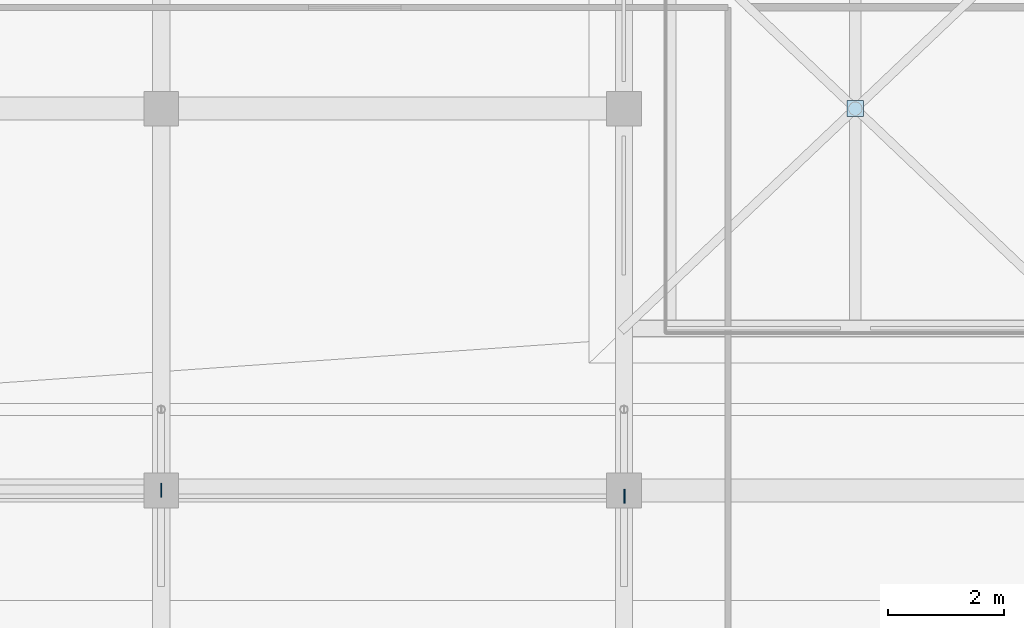
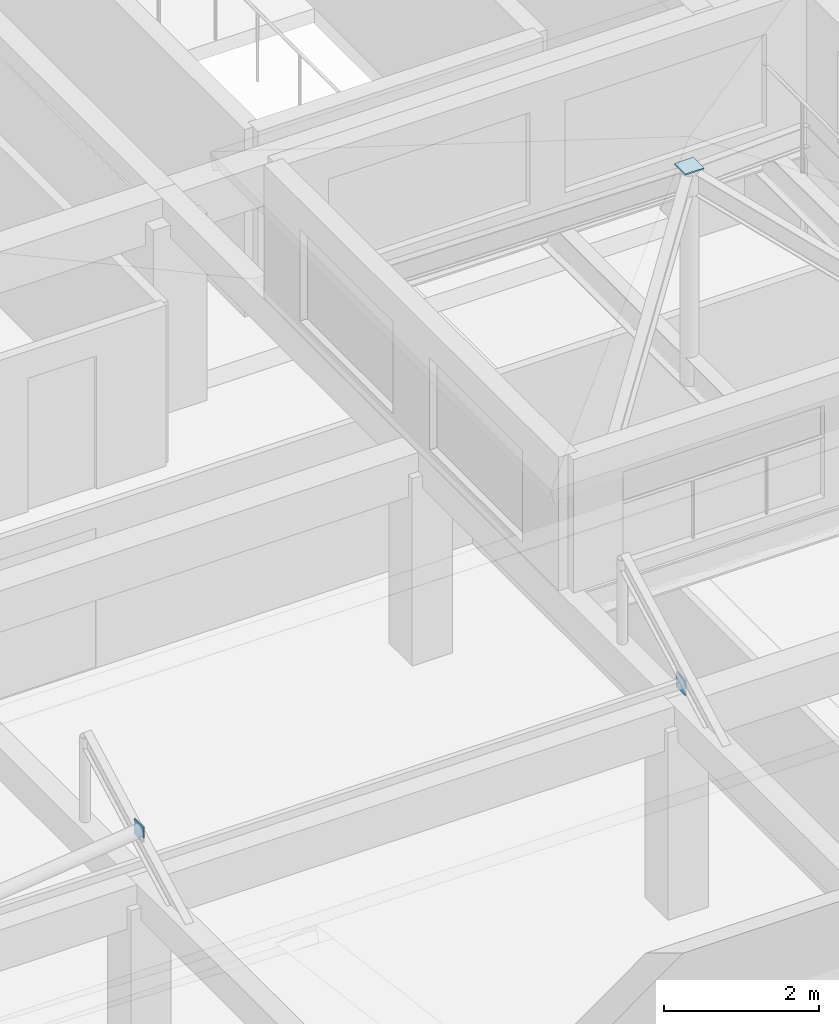
# One storey, part 30 of 39: 3 plates.
"""IFC4 building model written with IfcOpenShell, lengths in metres."""

from ifc_helpers import new_model, si_unit, direction, frame, origin, origin_2d, place, context, subcontext, project, spatial, rectangle, extrude, material, layer, layer_set, type_object, element, save


model = new_model("IFC4")

# Units and contexts
model_context = context("Model", 3, precision=1e-05, world=origin(), true_north=direction((0.0, 1.0)))
body_context = subcontext(model_context, "Body", "Model", "MODEL_VIEW")
ifc_project = project(units=[si_unit("LENGTHUNIT", "METRE"), si_unit("AREAUNIT", "SQUARE_METRE"), si_unit("VOLUMEUNIT", "CUBIC_METRE"), si_unit("PLANEANGLEUNIT", "RADIAN"), si_unit("MASSUNIT", "GRAM", prefix="KILO")], contexts=[model_context])

# Site, building, storey
site_placement = place(None, origin())
site = spatial("IfcSite", under=ifc_project, at=site_placement, CompositionType="ELEMENT")
building_placement = place(site_placement, origin())
building = spatial("IfcBuilding", under=site, at=building_placement, Name="Akrevak Sports Hall", CompositionType="ELEMENT")
storey_placement = place(building_placement, frame((0.0, 0.0, 66.550048828125)))
storey = spatial("IfcBuildingStorey", under=building, at=storey_placement, Name="L17", CompositionType="ELEMENT", Elevation=66.550048828125)

# Plates
ifc_material = material(Name="Steel S355", Category="steel")
ifc_layer_1 = layer(ifc_material, 0.02001953125, Name="Steel S355")
ifc_layer_set_1 = layer_set([ifc_layer_1], Name="Steel S355")
plate_type_1 = type_object("IfcPlateType", Name="STR-PLT-CAP-20", PredefinedType="SHEET", material=ifc_layer_set_1)
for number, where, z_axis, x_axis, name in (
    (1, (68.0, 42.0, 3.81005859375), (0.0, 0.0, 1.0), (1.0, 0.0, 0.0), "Mansard Brace Welded End Cap Plate MBRC-WS-1"),
    (2, (76.010009765625, 41.89990234375, 3.3798828125), (0.0, 0.0, 1.0), (1.0, 0.0, 0.0), "Mansard Purlin Welded End Cap Plate PUR-WSB"),
):
    element("IfcPlate", number, at=place(storey_placement, frame(where, z_axis=z_axis, x_axis=x_axis)), inside=storey, type_object=plate_type_1, Name=name, PredefinedType="SHEET", context=body_context, shape_type="SweptSolid", body=[
        extrude(rectangle(XDim=0.02001953125, YDim=0.239990234375, at=origin_2d()), origin(), (0.0, 0.0, 1.0), 0.239990234375),
    ])
ifc_layer_2 = layer(ifc_material, 0.02001953125, Name="Steel S355")
ifc_layer_set_2 = layer_set([ifc_layer_2], Name="Steel S355")
plate_type_2 = type_object("IfcPlateType", Name="STR-PLT-KCAP-20", PredefinedType="SHEET", material=ifc_layer_set_2)
plate_placement = place(storey_placement, frame((80.0, 48.60009765625, 6.169921875), z_axis=(0.0, 0.0, 1.0), x_axis=(1.0, 0.0, 0.0)))
element("IfcPlate", 3, at=plate_placement, inside=storey, type_object=plate_type_2, Name="Crown Cupola King Post Top Cap Plate", PredefinedType="SHEET", context=body_context, shape_type="SweptSolid", body=[
    extrude(rectangle(XDim=0.280029296875, YDim=0.280029296875, at=origin_2d()), origin(), (0.0, 0.0, 1.0), 0.02001953125),
])

save(model, "model.ifc")
